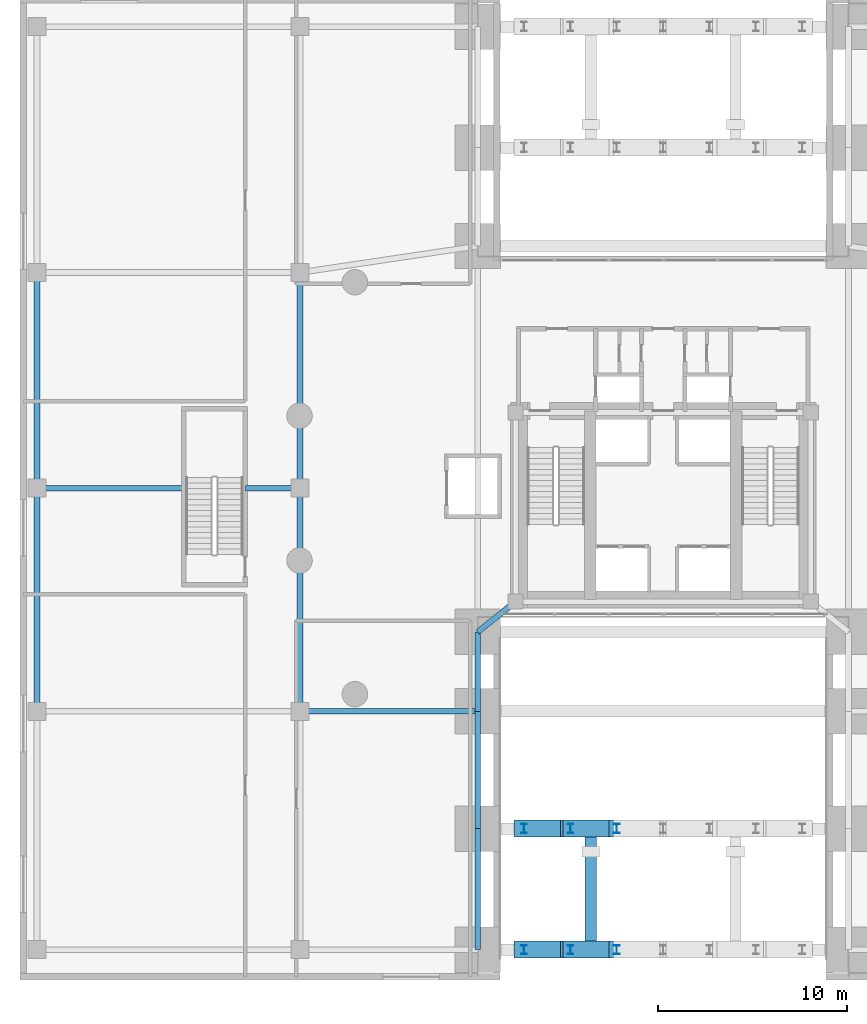
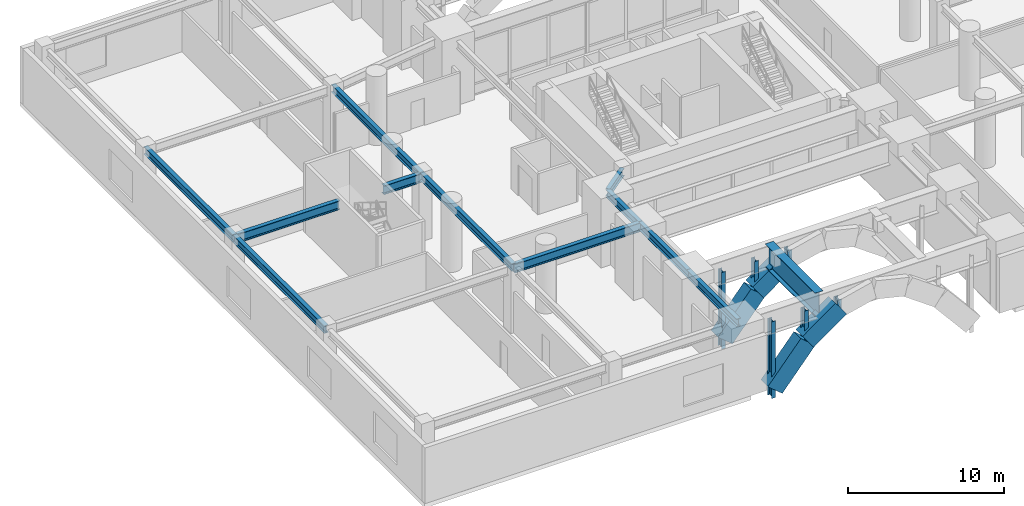
# One storey, part 2 of 18: 16 beams, 6 members.
"""IFC4 building model written with IfcOpenShell, lengths in metres."""

from ifc_helpers import new_model, si_unit, direction, frame, origin, origin_2d, place, context, subcontext, project, spatial, rectangle, i_section, extrude, material, material_profile, profile_set, type_object, element, save


model = new_model("IFC4")

# Units and contexts
model_context = context("Model", 3, precision=1e-05, world=origin(), true_north=direction((0.0, 1.0)))
body_context = subcontext(model_context, "Body", "Model", "MODEL_VIEW")
ifc_project = project(units=[si_unit("LENGTHUNIT", "METRE"), si_unit("AREAUNIT", "SQUARE_METRE"), si_unit("VOLUMEUNIT", "CUBIC_METRE"), si_unit("PLANEANGLEUNIT", "RADIAN"), si_unit("MASSUNIT", "GRAM", prefix="KILO"), si_unit("THERMODYNAMICTEMPERATUREUNIT", "KELVIN"), si_unit("POWERUNIT", "WATT")], contexts=[model_context])

# Site, building, storey
site_placement = place(None, origin())
site = spatial("IfcSite", under=ifc_project, at=site_placement, CompositionType="ELEMENT")
building_placement = place(site_placement, origin())
building = spatial("IfcBuilding", under=site, at=building_placement, Name="Ocrelia Relay Tower", CompositionType="ELEMENT")
storey_placement = place(building_placement, frame((0.0, 0.0, 10.199951171875)))
storey = spatial("IfcBuildingStorey", under=building, at=storey_placement, Name="L02", CompositionType="ELEMENT", Elevation=10.199951171875)

# Beams
ifc_material_1 = material(Name="Concrete C70/85", Category="concrete")
ifc_material_profile_1 = material_profile(ifc_material_1, rectangle(XDim=0.89990234375, YDim=1.39990234375, at=origin_2d()), Name="RC-BM-900x1400")
ifc_profile_set_1 = profile_set([ifc_material_profile_1], Name="Concrete C70/85")
beam_type_1 = type_object("IfcBeamType", Name="BM-ARCH-RIB", PredefinedType="USERDEFINED", material=ifc_profile_set_1)
beam_1_placement = place(storey_placement, frame((26.64990234375, 1.60009765625, -1.107177734375), z_axis=(0.642360114755, 0.0, 0.766402950785), x_axis=(0.0, 1.0, 0.0)))
element("IfcBeam", 1, at=beam_1_placement, inside=storey, type_object=beam_type_1, Name="Monumental Portal Arch Rib S1 Seg 2", ObjectType="PORTAL ARCH", PredefinedType="USERDEFINED", context=body_context, shape_type="SweptSolid", body=[
    extrude(rectangle(XDim=0.89990234375, YDim=1.39990234375, at=origin_2d()), origin(), (0.0, 0.0, 1.0), 3.814453125),
])
beam_2_placement = place(storey_placement, frame((29.10009765625, 1.60009765625, 1.816162109375), z_axis=(0.813075999957, 0.0, 0.582157554528), x_axis=(0.0, 1.0, 0.0)))
element("IfcBeam", 2, at=beam_2_placement, inside=storey, type_object=beam_type_1, Name="Monumental Portal Arch Rib S1 Seg 3", ObjectType="PORTAL ARCH", PredefinedType="USERDEFINED", context=body_context, shape_type="SweptSolid", body=[
    extrude(rectangle(XDim=0.89990234375, YDim=1.39990234375, at=origin_2d()), origin(), (0.0, 0.0, 1.0), 3.01318359375),
])
beam_3_placement = place(storey_placement, frame((26.64990234375, 8.0, -1.107177734375), z_axis=(0.642360114755, 0.0, 0.766402950785), x_axis=(0.0, 1.0, 0.0)))
element("IfcBeam", 3, at=beam_3_placement, inside=storey, type_object=beam_type_1, Name="Monumental Portal Arch Rib S2 Seg 2", ObjectType="PORTAL ARCH", PredefinedType="USERDEFINED", context=body_context, shape_type="SweptSolid", body=[
    extrude(rectangle(XDim=0.89990234375, YDim=1.39990234375, at=origin_2d()), origin(), (0.0, 0.0, 1.0), 3.814453125),
])
beam_4_placement = place(storey_placement, frame((29.10009765625, 8.0, 1.816162109375), z_axis=(0.813075999957, 0.0, 0.582157554528), x_axis=(0.0, 1.0, 0.0)))
element("IfcBeam", 4, at=beam_4_placement, inside=storey, type_object=beam_type_1, Name="Monumental Portal Arch Rib S2 Seg 3", ObjectType="PORTAL ARCH", PredefinedType="USERDEFINED", context=body_context, shape_type="SweptSolid", body=[
    extrude(rectangle(XDim=0.89990234375, YDim=1.39990234375, at=origin_2d()), origin(), (0.0, 0.0, 1.0), 3.01318359375),
])
ifc_material_2 = material(Name="Steel S355", Category="steel")
ifc_material_profile_2 = material_profile(ifc_material_2, i_section(OverallWidth=0.300048828125, OverallDepth=0.60009765625, WebThickness=0.015380859375, FlangeThickness=0.030029296875, FilletRadius=0.027099609375, at=origin_2d()), Name="HEB 600")
ifc_profile_set_2 = profile_set([ifc_material_profile_2], Name="Steel S355")
beam_type_2 = type_object("IfcBeamType", Name="BM-HEB600", PredefinedType="BEAM", material=ifc_profile_set_2)
beam_5_placement = place(storey_placement, frame((0.89990234375, 14.199951171875, 4.780029296875), z_axis=(0.0, 1.0, 0.0), x_axis=(-1.0, 0.0, 0.0)))
element("IfcBeam", 5, at=beam_5_placement, inside=storey, type_object=beam_type_2, Name="L02 Podium Span Girder W-2", PredefinedType="BEAM", context=body_context, shape_type="SweptSolid", body=[
    extrude(i_section(OverallWidth=0.300048828125, OverallDepth=0.60009765625, WebThickness=0.015380859375, FlangeThickness=0.030029296875, FilletRadius=0.027099609375, at=origin_2d()), origin(), (0.0, 0.0, 1.0), 11.800048828125),
])
beam_6_placement = place(storey_placement, frame((0.89990234375, 26.0, 4.780029296875), z_axis=(0.0, 1.0, 0.0), x_axis=(-1.0, 0.0, 0.0)))
element("IfcBeam", 6, at=beam_6_placement, inside=storey, type_object=beam_type_2, Name="L02 Podium Span Girder W-3", PredefinedType="BEAM", context=body_context, shape_type="SweptSolid", body=[
    extrude(i_section(OverallWidth=0.300048828125, OverallDepth=0.60009765625, WebThickness=0.015380859375, FlangeThickness=0.030029296875, FilletRadius=0.027099609375, at=origin_2d()), origin(), (0.0, 0.0, 1.0), 11.39990234375),
])
beam_7_placement = place(storey_placement, frame((14.800048828125, 14.199951171875, 4.780029296875), z_axis=(0.0, 1.0, 0.0), x_axis=(-1.0, 0.0, 0.0)))
element("IfcBeam", 7, at=beam_7_placement, inside=storey, type_object=beam_type_2, Name="L02 Podium Span Girder IW-2", PredefinedType="BEAM", context=body_context, shape_type="SweptSolid", body=[
    extrude(i_section(OverallWidth=0.300048828125, OverallDepth=0.60009765625, WebThickness=0.015380859375, FlangeThickness=0.030029296875, FilletRadius=0.027099609375, at=origin_2d()), origin(), (0.0, 0.0, 1.0), 11.800048828125),
])
beam_8_placement = place(storey_placement, frame((14.800048828125, 26.0, 4.780029296875), z_axis=(0.0, 1.0, 0.0), x_axis=(-1.0, 0.0, 0.0)))
element("IfcBeam", 8, at=beam_8_placement, inside=storey, type_object=beam_type_2, Name="L02 Podium Span Girder IW-3", PredefinedType="BEAM", context=body_context, shape_type="SweptSolid", body=[
    extrude(i_section(OverallWidth=0.300048828125, OverallDepth=0.60009765625, WebThickness=0.015380859375, FlangeThickness=0.030029296875, FilletRadius=0.027099609375, at=origin_2d()), origin(), (0.0, 0.0, 1.0), 11.39990234375),
])
beam_9_placement = place(storey_placement, frame((24.199951171875, 1.60009765625, 4.780029296875), z_axis=(0.0, 1.0, 0.0), x_axis=(-1.0, 0.0, 0.0)))
element("IfcBeam", 9, at=beam_9_placement, inside=storey, type_object=beam_type_2, Name="L02 Pier Line Tie Girder AW-1", PredefinedType="BEAM", context=body_context, shape_type="SweptSolid", body=[
    extrude(i_section(OverallWidth=0.300048828125, OverallDepth=0.60009765625, WebThickness=0.015380859375, FlangeThickness=0.030029296875, FilletRadius=0.027099609375, at=origin_2d()), origin(), (0.0, 0.0, 1.0), 6.39990234375),
])
beam_10_placement = place(storey_placement, frame((24.199951171875, 8.0, 4.780029296875), z_axis=(0.0, 1.0, 0.0), x_axis=(-1.0, 0.0, 0.0)))
element("IfcBeam", 10, at=beam_10_placement, inside=storey, type_object=beam_type_2, Name="L02 Pier Line Tie Girder AW-2", PredefinedType="BEAM", context=body_context, shape_type="SweptSolid", body=[
    extrude(i_section(OverallWidth=0.300048828125, OverallDepth=0.60009765625, WebThickness=0.015380859375, FlangeThickness=0.030029296875, FilletRadius=0.027099609375, at=origin_2d()), origin(), (0.0, 0.0, 1.0), 6.199951171875),
])
beam_11_placement = place(storey_placement, frame((24.199951171875, 14.199951171875, 4.780029296875), z_axis=(0.0, 1.0, 0.0), x_axis=(-1.0, 0.0, 0.0)))
element("IfcBeam", 11, at=beam_11_placement, inside=storey, type_object=beam_type_2, Name="L02 Pier Line Tie Girder AW-3", PredefinedType="BEAM", context=body_context, shape_type="SweptSolid", body=[
    extrude(i_section(OverallWidth=0.300048828125, OverallDepth=0.60009765625, WebThickness=0.015380859375, FlangeThickness=0.030029296875, FilletRadius=0.027099609375, at=origin_2d()), origin(), (0.0, 0.0, 1.0), 4.199951171875),
])
beam_12_placement = place(storey_placement, frame((24.199951171875, 18.39990234375, 4.780029296875), z_axis=(0.78085021034, 0.624718295724, 0.0), x_axis=(-0.624718295724, 0.78085021034, 0.0)))
element("IfcBeam", 12, at=beam_12_placement, inside=storey, type_object=beam_type_2, Name="L02 Core Pilaster Link Girder AWS", PredefinedType="BEAM", context=body_context, shape_type="SweptSolid", body=[
    extrude(i_section(OverallWidth=0.300048828125, OverallDepth=0.60009765625, WebThickness=0.015380859375, FlangeThickness=0.030029296875, FilletRadius=0.027099609375, at=origin_2d()), origin(), (0.0, 0.0, 1.0), 2.561279296875),
])
ifc_material_profile_3 = material_profile(ifc_material_2, i_section(OverallWidth=0.300048828125, OverallDepth=0.699951171875, WebThickness=0.01708984375, FlangeThickness=0.031982421875, FilletRadius=0.027099609375, at=origin_2d()), Name="HEB 700")
ifc_profile_set_3 = profile_set([ifc_material_profile_3], Name="Steel S355")
beam_type_3 = type_object("IfcBeamType", Name="BM-HEB700", PredefinedType="BEAM", material=ifc_profile_set_3)
beam_13_placement = place(storey_placement, frame((14.800048828125, 14.199951171875, 4.72998046875), z_axis=(1.0, 0.0, 0.0), x_axis=(0.0, 1.0, 0.0)))
element("IfcBeam", 13, at=beam_13_placement, inside=storey, type_object=beam_type_3, Name="L02 West Inner Podium Girder M1", PredefinedType="BEAM", context=body_context, shape_type="SweptSolid", body=[
    extrude(i_section(OverallWidth=0.300048828125, OverallDepth=0.699951171875, WebThickness=0.01708984375, FlangeThickness=0.031982421875, FilletRadius=0.027099609375, at=origin_2d()), origin(), (0.0, 0.0, 1.0), 9.39990234375),
])
beam_14_placement = place(storey_placement, frame((0.89990234375, 26.0, 4.72998046875), z_axis=(1.0, 0.0, 0.0), x_axis=(0.0, 1.0, 0.0)))
element("IfcBeam", 14, at=beam_14_placement, inside=storey, type_object=beam_type_3, Name="L02 West Mid Podium Girder Outer", PredefinedType="BEAM", context=body_context, shape_type="SweptSolid", body=[
    extrude(i_section(OverallWidth=0.300048828125, OverallDepth=0.699951171875, WebThickness=0.01708984375, FlangeThickness=0.031982421875, FilletRadius=0.027099609375, at=origin_2d()), origin(), (0.0, 0.0, 1.0), 7.752197265625),
])
beam_15_placement = place(storey_placement, frame((11.907958984375, 26.0, 4.72998046875), z_axis=(1.0, 0.0, 0.0), x_axis=(0.0, 1.0, 0.0)))
element("IfcBeam", 15, at=beam_15_placement, inside=storey, type_object=beam_type_3, Name="L02 West Mid Podium Girder Inner", PredefinedType="BEAM", context=body_context, shape_type="SweptSolid", body=[
    extrude(i_section(OverallWidth=0.300048828125, OverallDepth=0.699951171875, WebThickness=0.01708984375, FlangeThickness=0.031982421875, FilletRadius=0.027099609375, at=origin_2d()), origin(), (0.0, 0.0, 1.0), 2.89208984375),
])
ifc_material_profile_4 = material_profile(ifc_material_2, i_section(OverallWidth=0.60009765625, OverallDepth=1.85009765625, WebThickness=0.028076171875, FlangeThickness=0.0400390625, FilletRadius=0.02001953125, at=origin_2d()), Name="WPG 1850x600")
ifc_profile_set_4 = profile_set([ifc_material_profile_4], Name="Steel S355")
beam_type_4 = type_object("IfcBeamType", Name="BM-WPG1650", PredefinedType="T_BEAM", material=ifc_profile_set_4)
beam_16_placement = place(storey_placement, frame((30.17626953125, 1.60009765625, 4.155029296875), z_axis=(0.0, 1.0, 0.0), x_axis=(-1.0, 0.0, 0.0)))
element("IfcBeam", 16, at=beam_16_placement, inside=storey, type_object=beam_type_4, Name="Portal Arch Column Collector Transfer Girder Z1-12", PredefinedType="T_BEAM", context=body_context, shape_type="SweptSolid", body=[
    extrude(i_section(OverallWidth=0.60009765625, OverallDepth=1.85009765625, WebThickness=0.028076171875, FlangeThickness=0.0400390625, FilletRadius=0.02001953125, at=origin_2d()), origin(), (0.0, 0.0, 1.0), 6.39990234375),
])

# Members
ifc_material_profile_5 = material_profile(ifc_material_2, i_section(OverallWidth=0.300048828125, OverallDepth=0.5, WebThickness=0.014404296875, FlangeThickness=0.028076171875, FilletRadius=0.027099609375, at=origin_2d()), Name="HEB 500")
ifc_profile_set_5 = profile_set([ifc_material_profile_5], Name="Steel S355")
member_type = type_object("IfcMemberType", Name="MB-RAKER-STRUT", PredefinedType="STRUT", material=ifc_profile_set_5)
member_1_placement = place(storey_placement, frame((26.64990234375, 1.60009765625, -1.857177734375), z_axis=(0.0, 0.0, 1.0), x_axis=(1.0, 0.0, 0.0)))
element("IfcMember", 17, at=member_1_placement, inside=storey, type_object=member_type, Name="Portal Arch Spandrel Hanger S1-1", PredefinedType="STRUT", context=body_context, shape_type="SweptSolid", body=[
    extrude(i_section(OverallWidth=0.300048828125, OverallDepth=0.5, WebThickness=0.014404296875, FlangeThickness=0.028076171875, FilletRadius=0.027099609375, at=origin_2d()), origin(), (0.0, 0.0, 1.0), 6.01220703125),
])
member_2_placement = place(storey_placement, frame((29.10009765625, 1.60009765625, 1.066162109375), z_axis=(0.0, 0.0, 1.0), x_axis=(1.0, 0.0, 0.0)))
element("IfcMember", 18, at=member_2_placement, inside=storey, type_object=member_type, Name="Portal Arch Spandrel Hanger S1-2", PredefinedType="STRUT", context=body_context, shape_type="SweptSolid", body=[
    extrude(i_section(OverallWidth=0.300048828125, OverallDepth=0.5, WebThickness=0.014404296875, FlangeThickness=0.028076171875, FilletRadius=0.027099609375, at=origin_2d()), origin(), (0.0, 0.0, 1.0), 3.0888671875),
])
member_3_placement = place(storey_placement, frame((31.550048828125, 1.60009765625, 2.8203125), z_axis=(0.0, 0.0, 1.0), x_axis=(1.0, 0.0, 0.0)))
element("IfcMember", 19, at=member_3_placement, inside=storey, type_object=member_type, Name="Portal Arch Spandrel Hanger S1-3", PredefinedType="STRUT", context=body_context, shape_type="SweptSolid", body=[
    extrude(i_section(OverallWidth=0.300048828125, OverallDepth=0.5, WebThickness=0.014404296875, FlangeThickness=0.028076171875, FilletRadius=0.027099609375, at=origin_2d()), origin(), (0.0, 0.0, 1.0), 1.334716796875),
])
member_4_placement = place(storey_placement, frame((26.64990234375, 8.0, -1.857177734375), z_axis=(0.0, 0.0, 1.0), x_axis=(1.0, 0.0, 0.0)))
element("IfcMember", 20, at=member_4_placement, inside=storey, type_object=member_type, Name="Portal Arch Spandrel Hanger S2-1", PredefinedType="STRUT", context=body_context, shape_type="SweptSolid", body=[
    extrude(i_section(OverallWidth=0.300048828125, OverallDepth=0.5, WebThickness=0.014404296875, FlangeThickness=0.028076171875, FilletRadius=0.027099609375, at=origin_2d()), origin(), (0.0, 0.0, 1.0), 6.01220703125),
])
member_5_placement = place(storey_placement, frame((29.10009765625, 8.0, 1.066162109375), z_axis=(0.0, 0.0, 1.0), x_axis=(1.0, 0.0, 0.0)))
element("IfcMember", 21, at=member_5_placement, inside=storey, type_object=member_type, Name="Portal Arch Spandrel Hanger S2-2", PredefinedType="STRUT", context=body_context, shape_type="SweptSolid", body=[
    extrude(i_section(OverallWidth=0.300048828125, OverallDepth=0.5, WebThickness=0.014404296875, FlangeThickness=0.028076171875, FilletRadius=0.027099609375, at=origin_2d()), origin(), (0.0, 0.0, 1.0), 3.0888671875),
])
member_6_placement = place(storey_placement, frame((31.550048828125, 8.0, 2.8203125), z_axis=(0.0, 0.0, 1.0), x_axis=(1.0, 0.0, 0.0)))
element("IfcMember", 22, at=member_6_placement, inside=storey, type_object=member_type, Name="Portal Arch Spandrel Hanger S2-3", PredefinedType="STRUT", context=body_context, shape_type="SweptSolid", body=[
    extrude(i_section(OverallWidth=0.300048828125, OverallDepth=0.5, WebThickness=0.014404296875, FlangeThickness=0.028076171875, FilletRadius=0.027099609375, at=origin_2d()), origin(), (0.0, 0.0, 1.0), 1.334716796875),
])

save(model, "model.ifc")
